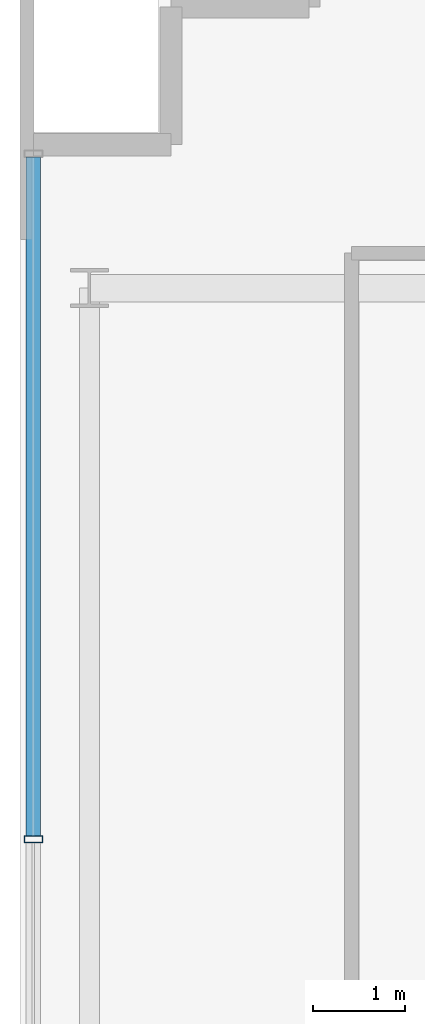
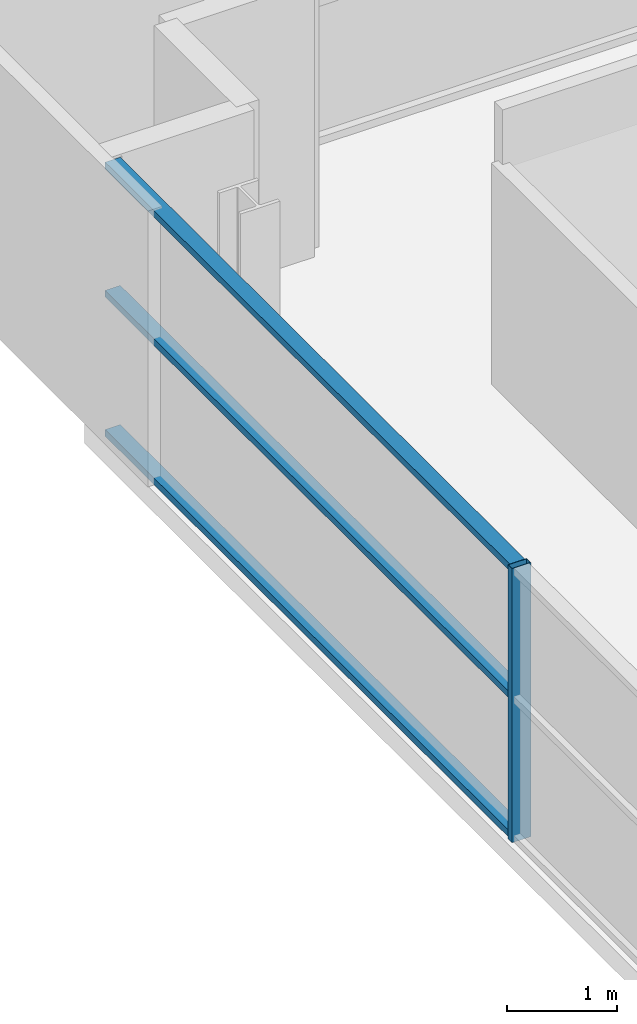
# One storey, part 10 of 30: 4 members, 1 element without a shape of its own.
"""IFC4 building model written with IfcOpenShell, lengths in metres."""

import ifcopenshell
import ifcopenshell.guid

model = None  # the IFC model being written
_history = None  # IfcOwnerHistory: only IFC2X3 demands one
_inside = {}  # id of a spatial element -> (the spatial element, [elements in it])
_under = {}  # id of a project, library or spatial element -> (it, [spatial elements below it])
_declared = {}  # id of a project -> (the project, [libraries it declares])
_typed = {}  # id of a type object -> (the type object, [elements of that type])
_made_of = {}  # id of a material, layer set ... -> (it, [elements and type objects made of it])


def new_model(schema):
    """Start an empty IFC model of exactly this schema.

    Asked for "IFC4X3", IfcOpenShell would pick the latest addendum, in which some entities
    have other attributes; the version numbers below select the first issue.
    IFC2X3 requires an IfcOwnerHistory on every rooted entity: one is made here for all.
    """
    global model, _history
    if schema == "IFC4X3":
        model = ifcopenshell.file(schema_version=(4, 3, 0, 0))
    else:
        model = ifcopenshell.file(schema=schema)
    _inside.clear()
    _under.clear()
    _declared.clear()
    _typed.clear()
    _made_of.clear()
    _history = None
    if model.schema == "IFC2X3":
        org = make("IfcOrganization", Name="unknown")
        user = make(
            "IfcPersonAndOrganization",
            ThePerson=make("IfcPerson", FamilyName="unknown"),
            TheOrganization=org,
        )
        app = make(
            "IfcApplication",
            ApplicationDeveloper=org,
            Version="unknown",
            ApplicationFullName="unknown",
            ApplicationIdentifier="unknown",
        )
        _history = make(
            "IfcOwnerHistory",
            OwningUser=user,
            OwningApplication=app,
            ChangeAction="ADDED",
            CreationDate=0,
        )
    return model


def make(cls, **values):
    """One entity of the class cls with the attributes given. An attribute that is None is left unset."""
    return model.create_entity(
        cls, **{name: value for name, value in values.items() if value is not None}
    )


def rooted(cls, **values):
    """An entity with a GlobalId (a new one), such as an element, a storey or a relation."""
    return make(cls, GlobalId=ifcopenshell.guid.new(), OwnerHistory=_history, **values)


def si_unit(unit_type, name, prefix=None):
    """IfcSIUnit, for example si_unit("LENGTHUNIT", "METRE", prefix="MILLI")."""
    return make("IfcSIUnit", UnitType=unit_type, Prefix=prefix, Name=name)


def assignment(units):
    """IfcUnitAssignment: the units of a project."""
    return None if units is None else make("IfcUnitAssignment", Units=units)


def point(xyz):
    """IfcCartesianPoint."""
    return None if xyz is None else make("IfcCartesianPoint", Coordinates=xyz)


def direction(xyz):
    """IfcDirection."""
    return None if xyz is None else make("IfcDirection", DirectionRatios=xyz)


def frame(location, z_axis=None, x_axis=None):
    """IfcAxis2Placement3D, a coordinate frame: its origin and axes. An axis left out is left unset."""
    return make(
        "IfcAxis2Placement3D",
        Location=point(location),
        Axis=direction(z_axis),
        RefDirection=direction(x_axis),
    )


def frame_2d(location, x_axis=None):
    """IfcAxis2Placement2D, a coordinate frame in the plane: its origin and x axis."""
    return make(
        "IfcAxis2Placement2D", Location=point(location), RefDirection=direction(x_axis)
    )


def origin():
    """The frame at (0, 0, 0) with its axes left unset."""
    return frame((0.0, 0.0, 0.0))


def origin_2d():
    """The frame at (0, 0) in the plane with its x axis left unset."""
    return frame_2d((0.0, 0.0))


def place(relative_to, where):
    """IfcLocalPlacement: puts the frame where relative to a parent placement (None: the world)."""
    return make(
        "IfcLocalPlacement", PlacementRelTo=relative_to, RelativePlacement=where
    )


def context(
    kind, dimensions, precision=None, world=None, true_north=None, identifier=None
):
    """IfcGeometricRepresentationContext, for example the 3D "Model" context."""
    return make(
        "IfcGeometricRepresentationContext",
        ContextIdentifier=identifier,
        ContextType=kind,
        CoordinateSpaceDimension=dimensions,
        Precision=precision,
        WorldCoordinateSystem=world,
        TrueNorth=true_north,
    )


def subcontext(parent, identifier, kind, view, scale=None):
    """IfcGeometricRepresentationSubContext, for example "Body" below "Model"."""
    return make(
        "IfcGeometricRepresentationSubContext",
        ContextIdentifier=identifier,
        ContextType=kind,
        ParentContext=parent,
        TargetScale=scale,
        TargetView=view,
    )


def project(units=None, contexts=None):
    """IfcProject with its units and contexts."""
    return rooted(
        "IfcProject",
        Name="project",
        RepresentationContexts=contexts,
        UnitsInContext=assignment(units),
    )


def spatial(cls, under=None, at=None, **own):
    """A site, building, storey or space (cls), placed at a placement, below another one or the project."""
    s = rooted(cls, ObjectPlacement=at, **own)
    if under is not None:
        _under.setdefault(under.id(), (under, []))[1].append(s)
    return s


def profile(cls, at=None, kind="AREA", **sizes):
    """A parametric profile (cls). Its sizes go by their IFC names, for example OverallWidth=200.0."""
    return make(cls, ProfileType=kind, Position=at, **sizes)


def hollow_rectangle(**sizes):
    """IfcRectangleHollowProfileDef."""
    return profile("IfcRectangleHollowProfileDef", **sizes)


def extrude(swept, where, along, depth):
    """IfcExtrudedAreaSolid: the profile swept, set in the frame where, extruded along a direction by depth."""
    return make(
        "IfcExtrudedAreaSolid",
        SweptArea=swept,
        Position=where,
        ExtrudedDirection=direction(along),
        Depth=depth,
    )


def shape(context_of_items, identifier, shape_type, items):
    """IfcShapeRepresentation: the items that make up one representation, for example the "Body"."""
    return make(
        "IfcShapeRepresentation",
        ContextOfItems=context_of_items,
        RepresentationIdentifier=identifier,
        RepresentationType=shape_type,
        Items=items,
    )


def source(mapping_origin, context_of_items, identifier, shape_type, items):
    """IfcRepresentationMap: a shape defined once, which mapped items show again and again."""
    return make(
        "IfcRepresentationMap",
        MappingOrigin=mapping_origin,
        MappedRepresentation=shape(context_of_items, identifier, shape_type, items),
    )


def transform(
    local_origin,
    x_axis=None,
    y_axis=None,
    z_axis=None,
    scale=None,
    scale2=None,
    scale3=None,
    uniform=True,
):
    """IfcCartesianTransformationOperator3D, or its non-uniform kind. x_axis, y_axis, z_axis: its Axis1, 2, 3."""
    if uniform:
        return make(
            "IfcCartesianTransformationOperator3D",
            Axis1=direction(x_axis),
            Axis2=direction(y_axis),
            LocalOrigin=point(local_origin),
            Scale=scale,
            Axis3=direction(z_axis),
        )
    return make(
        "IfcCartesianTransformationOperator3DnonUniform",
        Axis1=direction(x_axis),
        Axis2=direction(y_axis),
        LocalOrigin=point(local_origin),
        Scale=scale,
        Axis3=direction(z_axis),
        Scale2=scale2,
        Scale3=scale3,
    )


def mapped(mapping_source, mapping_target):
    """IfcMappedItem: shows the shape of a source again, moved by a transform."""
    return make(
        "IfcMappedItem", MappingSource=mapping_source, MappingTarget=mapping_target
    )


def material(Name=None, Category=None):
    """IfcMaterial."""
    return make("IfcMaterial", Name=Name, Category=Category)


def layer(
    of_material, thickness, ventilated=None, Name=None, Category=None, Priority=None
):
    """IfcMaterialLayer: one layer of a wall or slab, of a material (None: an air gap)."""
    return make(
        "IfcMaterialLayer",
        Material=of_material,
        LayerThickness=thickness,
        IsVentilated=ventilated,
        Name=Name,
        Category=Category,
        Priority=Priority,
    )


def layer_set(layers, Name=None):
    """IfcMaterialLayerSet."""
    return make("IfcMaterialLayerSet", MaterialLayers=layers, LayerSetName=Name)


def material_profile(
    of_material, cross_section, Name=None, Category=None, Priority=None
):
    """IfcMaterialProfile: a cross section and its material."""
    return make(
        "IfcMaterialProfile",
        Name=Name,
        Material=of_material,
        Profile=cross_section,
        Priority=Priority,
        Category=Category,
    )


def profile_set(profiles, Name=None, composite=None):
    """IfcMaterialProfileSet."""
    return make(
        "IfcMaterialProfileSet",
        Name=Name,
        MaterialProfiles=profiles,
        CompositeProfile=composite,
    )


def made_of(thing, what):
    """Note that an element or type object is made of a material, layer set ...; save() writes the relation."""
    if what is not None:
        _made_of.setdefault(what.id(), (what, []))[1].append(thing)
    return thing


def type_object(cls, material=None, **own):
    """A type object (cls), such as IfcWallType, which elements share."""
    return made_of(rooted(cls, **own), material)


def element(
    cls,
    number,
    at=None,
    inside=None,
    cuts=None,
    type_object=None,
    material=None,
    context=None,
    identifier="Body",
    shape_type=None,
    held_by="IfcProductDefinitionShape",
    body=None,
    shapes=None,
    **own,
):
    """One element of the class cls, such as IfcWall. Its Tag is "e" and its number.

    at: its placement. inside: the storey or other place that contains it. cuts: it is an
    opening in that element (IfcRelVoidsElement). A single representation is given by context,
    identifier, shape_type and body (its items); several are given by shapes. held_by: the class
    of the entity that holds the representations. save() writes the other relations.
    """
    e = rooted(cls, Tag="e%d" % number, ObjectPlacement=at, **own)
    if body is not None:
        shapes = [shape(context, identifier, shape_type, body)]
    if shapes is not None:
        e.Representation = make(held_by, Representations=shapes)
    if inside is not None:
        _inside.setdefault(inside.id(), (inside, []))[1].append(e)
    if cuts is not None:
        rooted(
            "IfcRelVoidsElement", RelatingBuildingElement=cuts, RelatedOpeningElement=e
        )
    if type_object is not None:
        _typed.setdefault(type_object.id(), (type_object, []))[1].append(e)
    return made_of(e, material)


def aggregate(whole, parts):
    """IfcRelAggregates: a whole, such as a stair, and the parts it consists of."""
    return rooted("IfcRelAggregates", RelatingObject=whole, RelatedObjects=parts)


def save(model, path):
    """Write the relations noted so far, then the file.

    IfcRelAggregates (storeys below a building ...), IfcRelContainedInSpatialStructure (elements
    in a storey), IfcRelDefinesByType, IfcRelAssociatesMaterial and IfcRelDeclares: one each for
    every whole, place, type object, material and project.
    """
    for whole, parts in _under.values():
        aggregate(whole, parts)
    for where, things in _inside.values():
        rooted(
            "IfcRelContainedInSpatialStructure",
            RelatedElements=things,
            RelatingStructure=where,
        )
    for kind, things in _typed.values():
        rooted("IfcRelDefinesByType", RelatedObjects=things, RelatingType=kind)
    for what, things in _made_of.values():
        rooted("IfcRelAssociatesMaterial", RelatedObjects=things, RelatingMaterial=what)
    for by, libraries in _declared.values():
        rooted("IfcRelDeclares", RelatingContext=by, RelatedDefinitions=libraries)
    model.write(path)


model = new_model("IFC4")

# Units and contexts
model_context = context("Model", 3, precision=1e-05, world=origin(), true_north=direction((0.0, 1.0)))
body_context = subcontext(model_context, "Body", "Model", "MODEL_VIEW")
ifc_project = project(units=[si_unit("LENGTHUNIT", "METRE"), si_unit("AREAUNIT", "SQUARE_METRE"), si_unit("VOLUMEUNIT", "CUBIC_METRE"), si_unit("PLANEANGLEUNIT", "RADIAN"), si_unit("MASSUNIT", "GRAM", prefix="KILO")], contexts=[model_context])

# Site, building, storey
site_placement = place(None, origin())
site = spatial("IfcSite", under=ifc_project, at=site_placement, CompositionType="ELEMENT")
building_placement = place(site_placement, origin())
building = spatial("IfcBuilding", under=site, at=building_placement, Name="Zarnakvel Exchange Tower", CompositionType="ELEMENT")
storey_placement = place(building_placement, frame((0.0, 0.0, 43.89990234375)))
storey = spatial("IfcBuildingStorey", under=building, at=storey_placement, Name="L11", CompositionType="ELEMENT", Elevation=43.89990234375)

# Curtain wall, members
ifc_material = material(Name="Architectural Bronze Anodised Aluminium", Category="aluminium")
ifc_layer = layer(ifc_material, 0.199951171875)
ifc_layer_set = layer_set([ifc_layer], Name="Architectural Bronze Anodised Aluminium")
curtain_wall_type = type_object("IfcCurtainWallType", Name="CW-04", PredefinedType="NOTDEFINED", material=ifc_layer_set)
curtain_wall_placement = place(storey_placement, origin())
curtain_wall = element("IfcCurtainWall", 1, at=curtain_wall_placement, inside=storey, type_object=curtain_wall_type, Name="L11 Curtain Wall CW-L11-W1 (CW-04)", PredefinedType="NOTDEFINED")
ifc_material_profile_1 = material_profile(ifc_material, hollow_rectangle(XDim=0.199951171875, YDim=0.074951171875, WallThickness=0.0048828125, at=origin_2d()))
ifc_profile_set_1 = profile_set([ifc_material_profile_1], Name="Architectural Bronze Anodised Aluminium")
member_type_1 = type_object("IfcMemberType", Name="CWM-04", PredefinedType="MULLION", material=ifc_profile_set_1)
shared_shape_1 = source(origin(), body_context, "Body", "SweptSolid", [
    extrude(hollow_rectangle(XDim=0.199951171875, YDim=0.074951171875, WallThickness=0.0048828125, at=origin_2d()), origin(), (0.0, 0.0, 1.0), 3.05517578125),
])
member_1_placement = place(storey_placement, frame((-32.4599609375, 7.5, 0.0), z_axis=(0.0, 0.0, 1.0), x_axis=(-1.0, 0.0, 0.0)))
member_1 = element("IfcMember", 2, at=member_1_placement, type_object=member_type_1, Name="CW-04 mullion 4", PredefinedType="MULLION", context=body_context, shape_type="MappedRepresentation", body=[
    mapped(shared_shape_1, transform((0.0, 0.0, 0.0), x_axis=(1.0, 0.0, 0.0), y_axis=(0.0, 1.0, 0.0), z_axis=(0.0, 0.0, 1.0), scale=1.0)),
])
ifc_material_profile_2 = material_profile(ifc_material, hollow_rectangle(XDim=0.159912109375, YDim=0.074951171875, WallThickness=0.00390625, at=origin_2d()))
ifc_profile_set_2 = profile_set([ifc_material_profile_2], Name="Architectural Bronze Anodised Aluminium")
member_type_2 = type_object("IfcMemberType", Name="CWT-04", PredefinedType="USERDEFINED", material=ifc_profile_set_2)
shared_shape_2 = source(origin(), body_context, "Body", "SweptSolid", [
    extrude(hollow_rectangle(XDim=0.159912109375, YDim=0.074951171875, WallThickness=0.00390625, at=origin_2d()), origin(), (0.0, 0.0, 1.0), 7.387451171875),
])
member_2_placement = place(storey_placement, frame((-32.4599609375, 7.53759765625, 0.03759765625), z_axis=(0.0, 1.0, 0.0), x_axis=(-1.0, 0.0, 0.0)))
member_2 = element("IfcMember", 3, at=member_2_placement, type_object=member_type_2, Name="CW-04 transom 4.1", ObjectType="TRANSOM", PredefinedType="USERDEFINED", context=body_context, shape_type="MappedRepresentation", body=[
    mapped(shared_shape_2, transform((0.0, 0.0, 0.0), x_axis=(1.0, 0.0, 0.0), y_axis=(0.0, 1.0, 0.0), z_axis=(0.0, 0.0, 1.0), scale=1.0)),
])
member_3_placement = place(storey_placement, frame((-32.4599609375, 7.53759765625, 1.588623046875), z_axis=(0.0, 1.0, 0.0), x_axis=(-1.0, 0.0, 0.0)))
member_3 = element("IfcMember", 4, at=member_3_placement, type_object=member_type_2, Name="CW-04 transom 4.2", ObjectType="TRANSOM", PredefinedType="USERDEFINED", context=body_context, shape_type="MappedRepresentation", body=[
    mapped(shared_shape_2, transform((0.0, 0.0, 0.0), x_axis=(1.0, 0.0, 0.0), y_axis=(0.0, 1.0, 0.0), z_axis=(0.0, 0.0, 1.0), scale=1.0)),
])
member_4_placement = place(storey_placement, frame((-32.4599609375, 7.53759765625, 3.017578125), z_axis=(0.0, 1.0, 0.0), x_axis=(-1.0, 0.0, 0.0)))
member_4 = element("IfcMember", 5, at=member_4_placement, type_object=member_type_2, Name="CW-04 transom 4.3", ObjectType="TRANSOM", PredefinedType="USERDEFINED", context=body_context, shape_type="MappedRepresentation", body=[
    mapped(shared_shape_2, transform((0.0, 0.0, 0.0), x_axis=(1.0, 0.0, 0.0), y_axis=(0.0, 1.0, 0.0), z_axis=(0.0, 0.0, 1.0), scale=1.0)),
])
aggregate(curtain_wall, [member_1, member_2, member_3, member_4])

save(model, "model.ifc")
